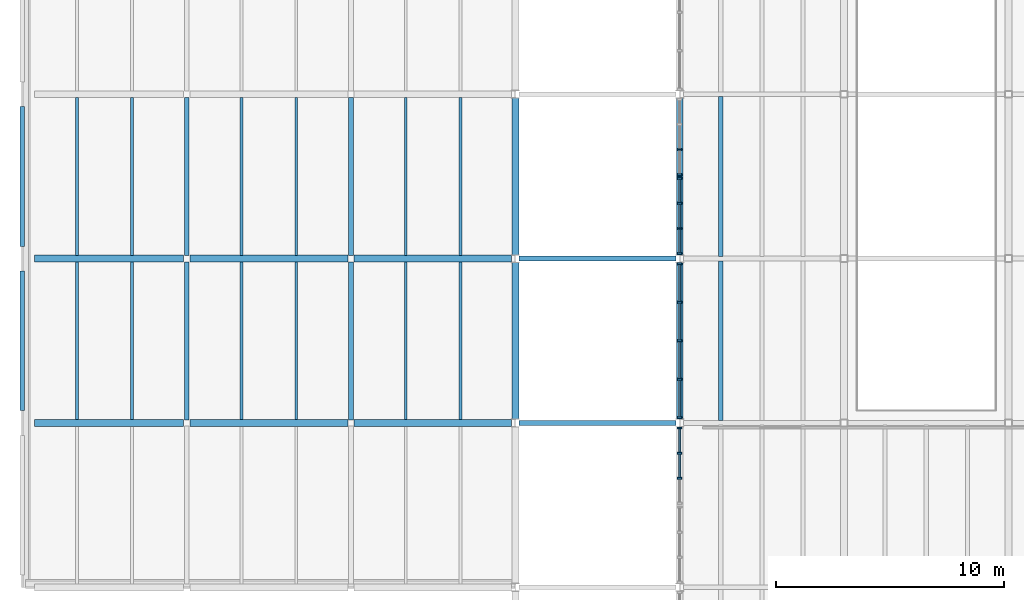
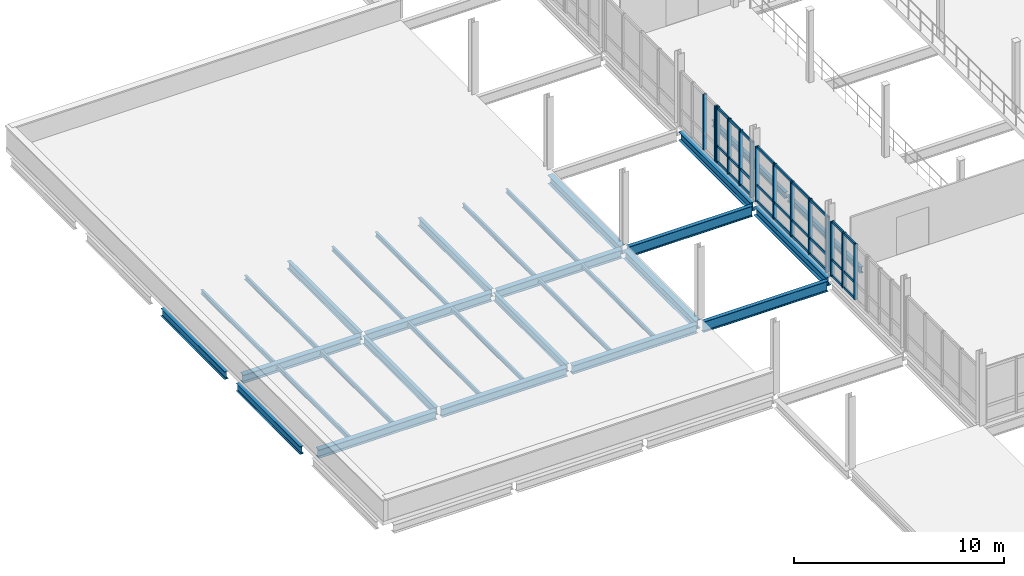
# One storey, part 19 of 72: 41 members, 32 beams, 4 elements without a shape of their own.
"""IFC4 building model written with IfcOpenShell, lengths in metres."""

from ifc_helpers import new_model, si_unit, direction, frame, origin, origin_2d, place, context, subcontext, project, spatial, rectangle, i_section, extrude, material, material_profile, profile_set, type_object, element, aggregate, save


model = new_model("IFC4")

# Units and contexts
model_context = context("Model", 3, precision=1e-05, world=origin(), true_north=direction((0.0, 1.0)))
body_context = subcontext(model_context, "Body", "Model", "MODEL_VIEW")
ifc_project = project(units=[si_unit("LENGTHUNIT", "METRE"), si_unit("AREAUNIT", "SQUARE_METRE"), si_unit("VOLUMEUNIT", "CUBIC_METRE"), si_unit("PLANEANGLEUNIT", "RADIAN"), si_unit("MASSUNIT", "GRAM", prefix="KILO")], contexts=[model_context])

# Site, building, storey
site_placement = place(None, origin())
site = spatial("IfcSite", under=ifc_project, at=site_placement, CompositionType="ELEMENT")
building_placement = place(site_placement, origin())
building = spatial("IfcBuilding", under=site, at=building_placement, Name="Qiaolan Assembly House", CompositionType="ELEMENT")
storey_placement = place(building_placement, frame((0.0, 0.0, 10.199951171875)))
storey = spatial("IfcBuildingStorey", under=building, at=storey_placement, Name="L02", CompositionType="ELEMENT", Elevation=10.199951171875)

# Beams
ifc_material_1 = material(Name="Steel Q355B", Category="steel")
ifc_material_profile_1 = material_profile(ifc_material_1, i_section(OverallWidth=0.300048828125, OverallDepth=0.488037109375, WebThickness=0.010986328125, FlangeThickness=0.01806640625, FilletRadius=0.02001953125, at=origin_2d()), Name="HM 488x300x11x18")
ifc_profile_set_1 = profile_set([ifc_material_profile_1], Name="Steel Q355B")
beam_type_1 = type_object("IfcBeamType", Name="BM-STL-HM488", PredefinedType="BEAM", material=ifc_profile_set_1)
beam_1_placement = place(storey_placement, frame((0.5400390625, 50.39990234375, -0.5439453125), z_axis=(1.0, 0.0, 0.0), x_axis=(0.0, 1.0, 0.0)))
element("IfcBeam", 1, at=beam_1_placement, inside=storey, type_object=beam_type_1, Name="SB-04 beam BMX-PTR-L02-00-01", PredefinedType="BEAM", context=body_context, shape_type="SweptSolid", body=[
    extrude(i_section(OverallWidth=0.300048828125, OverallDepth=0.488037109375, WebThickness=0.010986328125, FlangeThickness=0.01806640625, FilletRadius=0.02001953125, at=origin_2d()), origin(), (0.0, 0.0, 1.0), 6.52001953125),
])
beam_2_placement = place(storey_placement, frame((7.340087890625, 50.39990234375, -0.5439453125), z_axis=(1.0, 0.0, 0.0), x_axis=(0.0, 1.0, 0.0)))
element("IfcBeam", 2, at=beam_2_placement, inside=storey, type_object=beam_type_1, Name="SB-04 beam BMX-PTR-L02-01-01", PredefinedType="BEAM", context=body_context, shape_type="SweptSolid", body=[
    extrude(i_section(OverallWidth=0.300048828125, OverallDepth=0.488037109375, WebThickness=0.010986328125, FlangeThickness=0.01806640625, FilletRadius=0.02001953125, at=origin_2d()), origin(), (0.0, 0.0, 1.0), 6.919921875),
])
beam_3_placement = place(storey_placement, frame((14.5400390625, 50.39990234375, -0.5439453125), z_axis=(1.0, 0.0, 0.0), x_axis=(0.0, 1.0, 0.0)))
element("IfcBeam", 3, at=beam_3_placement, inside=storey, type_object=beam_type_1, Name="SB-04 beam BMX-PTR-L02-02-01", PredefinedType="BEAM", context=body_context, shape_type="SweptSolid", body=[
    extrude(i_section(OverallWidth=0.300048828125, OverallDepth=0.488037109375, WebThickness=0.010986328125, FlangeThickness=0.01806640625, FilletRadius=0.02001953125, at=origin_2d()), origin(), (0.0, 0.0, 1.0), 6.89501953125),
])
beam_4_placement = place(storey_placement, frame((0.5400390625, 57.60009765625, -0.5439453125), z_axis=(1.0, 0.0, 0.0), x_axis=(0.0, 1.0, 0.0)))
element("IfcBeam", 4, at=beam_4_placement, inside=storey, type_object=beam_type_1, Name="SB-04 beam BMX-PTR-L02-00-02", PredefinedType="BEAM", context=body_context, shape_type="SweptSolid", body=[
    extrude(i_section(OverallWidth=0.300048828125, OverallDepth=0.488037109375, WebThickness=0.010986328125, FlangeThickness=0.01806640625, FilletRadius=0.02001953125, at=origin_2d()), origin(), (0.0, 0.0, 1.0), 6.52001953125),
])
beam_5_placement = place(storey_placement, frame((7.340087890625, 57.60009765625, -0.5439453125), z_axis=(1.0, 0.0, 0.0), x_axis=(0.0, 1.0, 0.0)))
element("IfcBeam", 5, at=beam_5_placement, inside=storey, type_object=beam_type_1, Name="SB-04 beam BMX-PTR-L02-01-02", PredefinedType="BEAM", context=body_context, shape_type="SweptSolid", body=[
    extrude(i_section(OverallWidth=0.300048828125, OverallDepth=0.488037109375, WebThickness=0.010986328125, FlangeThickness=0.01806640625, FilletRadius=0.02001953125, at=origin_2d()), origin(), (0.0, 0.0, 1.0), 6.919921875),
])
beam_6_placement = place(storey_placement, frame((14.5400390625, 57.60009765625, -0.5439453125), z_axis=(1.0, 0.0, 0.0), x_axis=(0.0, 1.0, 0.0)))
element("IfcBeam", 6, at=beam_6_placement, inside=storey, type_object=beam_type_1, Name="SB-04 beam BMX-PTR-L02-02-02", PredefinedType="BEAM", context=body_context, shape_type="SweptSolid", body=[
    extrude(i_section(OverallWidth=0.300048828125, OverallDepth=0.488037109375, WebThickness=0.010986328125, FlangeThickness=0.01806640625, FilletRadius=0.02001953125, at=origin_2d()), origin(), (0.0, 0.0, 1.0), 6.89501953125),
])
ifc_material_profile_2 = material_profile(ifc_material_1, i_section(OverallWidth=0.300048828125, OverallDepth=0.5, WebThickness=0.010986328125, FlangeThickness=0.01806640625, FilletRadius=0.02001953125, at=origin_2d()), Name="HM 500x300x11x18")
ifc_profile_set_2 = profile_set([ifc_material_profile_2], Name="Steel Q355B")
beam_type_2 = type_object("IfcBeamType", Name="BM-STL-HM500", PredefinedType="BEAM", material=ifc_profile_set_2)
for number, where, z_axis, x_axis, name in (
    (7, (21.60009765625, 50.56494140625, -0.550048828125), (0.0, 1.0, 0.0), (-1.0, 0.0, 0.0), "SB-15 beam BMY-HL-L02-00-02"),
    (8, (21.60009765625, 57.764892578125, -0.550048828125), (0.0, 1.0, 0.0), (-1.0, 0.0, 0.0), "SB-15 beam BMY-HL-L02-00-03"),
    (9, (28.800048828125, 50.56494140625, -0.550048828125), (0.0, 1.0, 0.0), (-1.0, 0.0, 0.0), "SB-15 beam BMY-HL-L02-01-02"),
    (10, (28.800048828125, 57.764892578125, -0.550048828125), (0.0, 1.0, 0.0), (-1.0, 0.0, 0.0), "SB-15 beam BMY-HL-L02-01-03"),
):
    element("IfcBeam", number, at=place(storey_placement, frame(where, z_axis=z_axis, x_axis=x_axis)), inside=storey, type_object=beam_type_2, Name=name, PredefinedType="BEAM", context=body_context, shape_type="SweptSolid", body=[
        extrude(i_section(OverallWidth=0.300048828125, OverallDepth=0.5, WebThickness=0.010986328125, FlangeThickness=0.01806640625, FilletRadius=0.02001953125, at=origin_2d()), origin(), (0.0, 0.0, 1.0), 6.8701171875),
    ])
ifc_material_profile_3 = material_profile(ifc_material_1, i_section(OverallWidth=0.199951171875, OverallDepth=0.449951171875, WebThickness=0.009033203125, FlangeThickness=0.013916015625, FilletRadius=0.01611328125, at=origin_2d()), Name="HN 450x200x9x14")
ifc_profile_set_3 = profile_set([ifc_material_profile_3], Name="Steel Q355B")
beam_type_3 = type_object("IfcBeamType", Name="BM-STL-HN450", PredefinedType="BEAM", material=ifc_profile_set_3)
for number, where, z_axis, x_axis, name in (
    (11, (0.0, 50.93994140625, -0.52490234375), (0.0, 1.0, 0.0), (-1.0, 0.0, 0.0), "SB-07 beam BMY-PTR-L02-00-01"),
    (12, (0.0, 58.139892578125, -0.52490234375), (0.0, 1.0, 0.0), (-1.0, 0.0, 0.0), "SB-07 beam BMY-PTR-L02-00-02"),
):
    element("IfcBeam", number, at=place(storey_placement, frame(where, z_axis=z_axis, x_axis=x_axis)), inside=storey, type_object=beam_type_3, Name=name, PredefinedType="BEAM", context=body_context, shape_type="SweptSolid", body=[
        extrude(i_section(OverallWidth=0.199951171875, OverallDepth=0.449951171875, WebThickness=0.009033203125, FlangeThickness=0.013916015625, FilletRadius=0.01611328125, at=origin_2d()), origin(), (0.0, 0.0, 1.0), 6.1201171875),
    ])
for number, where, z_axis, x_axis, name in (
    (13, (7.199951171875, 50.5400390625, -0.52490234375), (0.0, 1.0, 0.0), (-1.0, 0.0, 0.0), "SB-07 beam BMY-PTR-L02-01-01"),
    (14, (7.199951171875, 57.739990234375, -0.52490234375), (0.0, 1.0, 0.0), (-1.0, 0.0, 0.0), "SB-07 beam BMY-PTR-L02-01-02"),
    (15, (14.39990234375, 50.5400390625, -0.52490234375), (0.0, 1.0, 0.0), (-1.0, 0.0, 0.0), "SB-07 beam BMY-PTR-L02-02-01"),
    (16, (14.39990234375, 57.739990234375, -0.52490234375), (0.0, 1.0, 0.0), (-1.0, 0.0, 0.0), "SB-07 beam BMY-PTR-L02-02-02"),
):
    element("IfcBeam", number, at=place(storey_placement, frame(where, z_axis=z_axis, x_axis=x_axis)), inside=storey, type_object=beam_type_3, Name=name, PredefinedType="BEAM", context=body_context, shape_type="SweptSolid", body=[
        extrude(i_section(OverallWidth=0.199951171875, OverallDepth=0.449951171875, WebThickness=0.009033203125, FlangeThickness=0.013916015625, FilletRadius=0.01611328125, at=origin_2d()), origin(), (0.0, 0.0, 1.0), 6.919921875),
    ])
ifc_material_profile_4 = material_profile(ifc_material_1, i_section(OverallWidth=0.2099609375, OverallDepth=0.610107421875, WebThickness=0.010986328125, FlangeThickness=0.01806640625, FilletRadius=0.02001953125, at=origin_2d()), Name="HN 610x210x11x18")
ifc_profile_set_4 = profile_set([ifc_material_profile_4], Name="Steel Q355B")
beam_type_4 = type_object("IfcBeamType", Name="BM-STL-HN610", PredefinedType="BEAM", material=ifc_profile_set_4)
for number, where, z_axis, x_axis, name in (
    (17, (21.764892578125, 50.39990234375, -0.60498046875), (1.0, 0.0, 0.0), (0.0, 1.0, 0.0), "SB-11 beam BMX-HL-L02-00-02"),
    (18, (21.764892578125, 57.60009765625, -0.60498046875), (1.0, 0.0, 0.0), (0.0, 1.0, 0.0), "SB-11 beam BMX-HL-L02-00-03"),
):
    element("IfcBeam", number, at=place(storey_placement, frame(where, z_axis=z_axis, x_axis=x_axis)), inside=storey, type_object=beam_type_4, Name=name, PredefinedType="BEAM", context=body_context, shape_type="SweptSolid", body=[
        extrude(i_section(OverallWidth=0.2099609375, OverallDepth=0.610107421875, WebThickness=0.010986328125, FlangeThickness=0.01806640625, FilletRadius=0.02001953125, at=origin_2d()), origin(), (0.0, 0.0, 1.0), 6.8701171875),
    ])

# Curtain wall, members
ifc_material_2 = material(Name="Anodised bronze aluminium", Category="aluminium")
curtain_wall_type = type_object("IfcCurtainWallType", Name="CW-HALL-UPPER-480", PredefinedType="NOTDEFINED", material=ifc_material_2)
curtain_wall_1_placement = place(storey_placement, origin())
curtain_wall_1 = element("IfcCurtainWall", 19, at=curtain_wall_1_placement, inside=storey, type_object=curtain_wall_type, Name="CW-01 Hall West facade L02-1B", PredefinedType="NOTDEFINED")
ifc_material_profile_5 = material_profile(ifc_material_2, rectangle(XDim=0.0859375, YDim=0.199951171875, at=origin_2d()), Name="MUL 86x200")
ifc_profile_set_5 = profile_set([ifc_material_profile_5], Name="Anodised bronze aluminium")
member_type_1 = type_object("IfcMemberType", Name="CW-HALL-UPPER-480-MUL", PredefinedType="MULLION", material=ifc_profile_set_5)
member_1_placement = place(storey_placement, frame((28.800048828125, 47.97998046875, 0.0), z_axis=(0.0, 0.0, 1.0), x_axis=(0.0, 1.0, 0.0)))
member_1 = element("IfcMember", 20, at=member_1_placement, type_object=member_type_1, Name="ML-02 mullion CW-HALL-W-L02-1B-2", PredefinedType="MULLION", context=body_context, shape_type="SweptSolid", body=[
    extrude(rectangle(XDim=0.0859375, YDim=0.199951171875, at=origin_2d()), origin(), (0.0, 0.0, 1.0), 3.199951171875),
])
member_2_placement = place(storey_placement, frame((28.800048828125, 49.080078125, 0.0), z_axis=(0.0, 0.0, 1.0), x_axis=(0.0, 1.0, 0.0)))
member_2 = element("IfcMember", 21, at=member_2_placement, type_object=member_type_1, Name="ML-02 mullion CW-HALL-W-L02-1B-3", PredefinedType="MULLION", context=body_context, shape_type="SweptSolid", body=[
    extrude(rectangle(XDim=0.0859375, YDim=0.199951171875, at=origin_2d()), origin(), (0.0, 0.0, 1.0), 3.199951171875),
])
member_3_placement = place(storey_placement, frame((28.800048828125, 50.179931640625, 0.0), z_axis=(0.0, 0.0, 1.0), x_axis=(0.0, 1.0, 0.0)))
member_3 = element("IfcMember", 22, at=member_3_placement, type_object=member_type_1, Name="ML-02 mullion CW-HALL-W-L02-1B-4", PredefinedType="MULLION", context=body_context, shape_type="SweptSolid", body=[
    extrude(rectangle(XDim=0.0859375, YDim=0.199951171875, at=origin_2d()), origin(), (0.0, 0.0, 1.0), 3.199951171875),
])

curtain_wall_2_placement = place(storey_placement, origin())
curtain_wall_2 = element("IfcCurtainWall", 23, at=curtain_wall_2_placement, inside=storey, type_object=curtain_wall_type, Name="CW-01 Hall West facade L02-2", PredefinedType="NOTDEFINED")
member_4_placement = place(storey_placement, frame((28.800048828125, 50.6201171875, 0.0), z_axis=(0.0, 0.0, 1.0), x_axis=(0.0, 1.0, 0.0)))
member_4 = element("IfcMember", 24, at=member_4_placement, type_object=member_type_1, Name="ML-02 mullion CW-HALL-W-L02-2-1", PredefinedType="MULLION", context=body_context, shape_type="SweptSolid", body=[
    extrude(rectangle(XDim=0.0859375, YDim=0.199951171875, at=origin_2d()), origin(), (0.0, 0.0, 1.0), 3.199951171875),
])
member_5_placement = place(storey_placement, frame((28.800048828125, 52.31005859375, 0.0), z_axis=(0.0, 0.0, 1.0), x_axis=(0.0, 1.0, 0.0)))
member_5 = element("IfcMember", 25, at=member_5_placement, type_object=member_type_1, Name="ML-02 mullion CW-HALL-W-L02-2-2", PredefinedType="MULLION", context=body_context, shape_type="SweptSolid", body=[
    extrude(rectangle(XDim=0.0859375, YDim=0.199951171875, at=origin_2d()), origin(), (0.0, 0.0, 1.0), 3.199951171875),
])
member_6_placement = place(storey_placement, frame((28.800048828125, 54.0, 0.0), z_axis=(0.0, 0.0, 1.0), x_axis=(0.0, 1.0, 0.0)))
member_6 = element("IfcMember", 26, at=member_6_placement, type_object=member_type_1, Name="ML-02 mullion CW-HALL-W-L02-2-3", PredefinedType="MULLION", context=body_context, shape_type="SweptSolid", body=[
    extrude(rectangle(XDim=0.0859375, YDim=0.199951171875, at=origin_2d()), origin(), (0.0, 0.0, 1.0), 3.199951171875),
])
member_7_placement = place(storey_placement, frame((28.800048828125, 55.68994140625, 0.0), z_axis=(0.0, 0.0, 1.0), x_axis=(0.0, 1.0, 0.0)))
member_7 = element("IfcMember", 27, at=member_7_placement, type_object=member_type_1, Name="ML-02 mullion CW-HALL-W-L02-2-4", PredefinedType="MULLION", context=body_context, shape_type="SweptSolid", body=[
    extrude(rectangle(XDim=0.0859375, YDim=0.199951171875, at=origin_2d()), origin(), (0.0, 0.0, 1.0), 3.199951171875),
])
member_8_placement = place(storey_placement, frame((28.800048828125, 57.3798828125, 0.0), z_axis=(0.0, 0.0, 1.0), x_axis=(0.0, 1.0, 0.0)))
member_8 = element("IfcMember", 28, at=member_8_placement, type_object=member_type_1, Name="ML-02 mullion CW-HALL-W-L02-2-5", PredefinedType="MULLION", context=body_context, shape_type="SweptSolid", body=[
    extrude(rectangle(XDim=0.0859375, YDim=0.199951171875, at=origin_2d()), origin(), (0.0, 0.0, 1.0), 3.199951171875),
])

curtain_wall_3_placement = place(storey_placement, origin())
curtain_wall_3 = element("IfcCurtainWall", 29, at=curtain_wall_3_placement, inside=storey, type_object=curtain_wall_type, Name="CW-01 Hall West facade L02-3A", PredefinedType="NOTDEFINED")
member_9_placement = place(storey_placement, frame((28.800048828125, 57.820068359375, 0.0), z_axis=(0.0, 0.0, 1.0), x_axis=(0.0, 1.0, 0.0)))
member_9 = element("IfcMember", 30, at=member_9_placement, type_object=member_type_1, Name="ML-02 mullion CW-HALL-W-L02-3A-1", PredefinedType="MULLION", context=body_context, shape_type="SweptSolid", body=[
    extrude(rectangle(XDim=0.0859375, YDim=0.199951171875, at=origin_2d()), origin(), (0.0, 0.0, 1.0), 3.199951171875),
])
member_10_placement = place(storey_placement, frame((28.800048828125, 58.919921875, 0.0), z_axis=(0.0, 0.0, 1.0), x_axis=(0.0, 1.0, 0.0)))
member_10 = element("IfcMember", 31, at=member_10_placement, type_object=member_type_1, Name="ML-02 mullion CW-HALL-W-L02-3A-2", PredefinedType="MULLION", context=body_context, shape_type="SweptSolid", body=[
    extrude(rectangle(XDim=0.0859375, YDim=0.199951171875, at=origin_2d()), origin(), (0.0, 0.0, 1.0), 3.199951171875),
])
member_11_placement = place(storey_placement, frame((28.800048828125, 60.02001953125, 0.0), z_axis=(0.0, 0.0, 1.0), x_axis=(0.0, 1.0, 0.0)))
member_11 = element("IfcMember", 32, at=member_11_placement, type_object=member_type_1, Name="ML-02 mullion CW-HALL-W-L02-3A-3", PredefinedType="MULLION", context=body_context, shape_type="SweptSolid", body=[
    extrude(rectangle(XDim=0.0859375, YDim=0.199951171875, at=origin_2d()), origin(), (0.0, 0.0, 1.0), 3.199951171875),
])
member_12_placement = place(storey_placement, frame((28.800048828125, 61.1201171875, 0.0), z_axis=(0.0, 0.0, 1.0), x_axis=(0.0, 1.0, 0.0)))
member_12 = element("IfcMember", 33, at=member_12_placement, type_object=member_type_1, Name="ML-02 mullion CW-HALL-W-L02-3A-4", PredefinedType="MULLION", context=body_context, shape_type="SweptSolid", body=[
    extrude(rectangle(XDim=0.0859375, YDim=0.199951171875, at=origin_2d()), origin(), (0.0, 0.0, 1.0), 3.199951171875),
])

curtain_wall_4_placement = place(storey_placement, origin())
curtain_wall_4 = element("IfcCurtainWall", 34, at=curtain_wall_4_placement, inside=storey, type_object=curtain_wall_type, Name="CW-01 Hall West facade L02-3B", PredefinedType="NOTDEFINED")
member_13_placement = place(storey_placement, frame((28.800048828125, 61.280029296875, 0.0), z_axis=(0.0, 0.0, 1.0), x_axis=(0.0, 1.0, 0.0)))
member_13 = element("IfcMember", 35, at=member_13_placement, type_object=member_type_1, Name="ML-02 mullion CW-HALL-W-L02-3B-1", PredefinedType="MULLION", context=body_context, shape_type="SweptSolid", body=[
    extrude(rectangle(XDim=0.0859375, YDim=0.199951171875, at=origin_2d()), origin(), (0.0, 0.0, 1.0), 3.199951171875),
])
member_14_placement = place(storey_placement, frame((28.800048828125, 62.3798828125, 0.0), z_axis=(0.0, 0.0, 1.0), x_axis=(0.0, 1.0, 0.0)))
member_14 = element("IfcMember", 36, at=member_14_placement, type_object=member_type_1, Name="ML-02 mullion CW-HALL-W-L02-3B-2", PredefinedType="MULLION", context=body_context, shape_type="SweptSolid", body=[
    extrude(rectangle(XDim=0.0859375, YDim=0.199951171875, at=origin_2d()), origin(), (0.0, 0.0, 1.0), 3.199951171875),
])
aggregate(curtain_wall_4, [member_13, member_14])

# Member
ifc_material_profile_6 = material_profile(ifc_material_2, rectangle(XDim=0.075927734375, YDim=0.14990234375, at=origin_2d()), Name="TRN 76x150")
ifc_profile_set_6 = profile_set([ifc_material_profile_6], Name="Anodised bronze aluminium")
member_type_2 = type_object("IfcMemberType", Name="CW-HALL-UPPER-480-TRN", PredefinedType="USERDEFINED", material=ifc_profile_set_6)
member_15_placement = place(storey_placement, frame((28.800048828125, 48.02294921875, 0.030029296875), z_axis=(0.0, 1.0, 0.0), x_axis=(-1.0, 0.0, 0.0)))
member_15 = element("IfcMember", 37, at=member_15_placement, type_object=member_type_2, Name="TR-02 transom CW-HALL-W-L02-1B-2-1", ObjectType="TRANSOM", PredefinedType="USERDEFINED", context=body_context, shape_type="SweptSolid", body=[
    extrude(rectangle(XDim=0.075927734375, YDim=0.14990234375, at=origin_2d()), origin(), (0.0, 0.0, 1.0), 1.01416015625),
])

member_16_placement = place(storey_placement, frame((28.800048828125, 48.02294921875, 0.949951171875), z_axis=(0.0, 1.0, 0.0), x_axis=(-1.0, 0.0, 0.0)))
member_16 = element("IfcMember", 38, at=member_16_placement, type_object=member_type_2, Name="TR-02 transom CW-HALL-W-L02-1B-2-2", ObjectType="TRANSOM", PredefinedType="USERDEFINED", context=body_context, shape_type="SweptSolid", body=[
    extrude(rectangle(XDim=0.075927734375, YDim=0.14990234375, at=origin_2d()), origin(), (0.0, 0.0, 1.0), 1.01416015625),
])

member_17_placement = place(storey_placement, frame((28.800048828125, 48.02294921875, 3.170166015625), z_axis=(0.0, 1.0, 0.0), x_axis=(-1.0, 0.0, 0.0)))
member_17 = element("IfcMember", 39, at=member_17_placement, type_object=member_type_2, Name="TR-02 transom CW-HALL-W-L02-1B-2-3", ObjectType="TRANSOM", PredefinedType="USERDEFINED", context=body_context, shape_type="SweptSolid", body=[
    extrude(rectangle(XDim=0.075927734375, YDim=0.14990234375, at=origin_2d()), origin(), (0.0, 0.0, 1.0), 1.01416015625),
])

member_18_placement = place(storey_placement, frame((28.800048828125, 49.123046875, 0.030029296875), z_axis=(0.0, 1.0, 0.0), x_axis=(-1.0, 0.0, 0.0)))
member_18 = element("IfcMember", 40, at=member_18_placement, type_object=member_type_2, Name="TR-02 transom CW-HALL-W-L02-1B-3-1", ObjectType="TRANSOM", PredefinedType="USERDEFINED", context=body_context, shape_type="SweptSolid", body=[
    extrude(rectangle(XDim=0.075927734375, YDim=0.14990234375, at=origin_2d()), origin(), (0.0, 0.0, 1.0), 1.013916015625),
])

member_19_placement = place(storey_placement, frame((28.800048828125, 49.123046875, 0.949951171875), z_axis=(0.0, 1.0, 0.0), x_axis=(-1.0, 0.0, 0.0)))
member_19 = element("IfcMember", 41, at=member_19_placement, type_object=member_type_2, Name="TR-02 transom CW-HALL-W-L02-1B-3-2", ObjectType="TRANSOM", PredefinedType="USERDEFINED", context=body_context, shape_type="SweptSolid", body=[
    extrude(rectangle(XDim=0.075927734375, YDim=0.14990234375, at=origin_2d()), origin(), (0.0, 0.0, 1.0), 1.013916015625),
])

member_20_placement = place(storey_placement, frame((28.800048828125, 49.123046875, 3.170166015625), z_axis=(0.0, 1.0, 0.0), x_axis=(-1.0, 0.0, 0.0)))
member_20 = element("IfcMember", 42, at=member_20_placement, type_object=member_type_2, Name="TR-02 transom CW-HALL-W-L02-1B-3-3", ObjectType="TRANSOM", PredefinedType="USERDEFINED", context=body_context, shape_type="SweptSolid", body=[
    extrude(rectangle(XDim=0.075927734375, YDim=0.14990234375, at=origin_2d()), origin(), (0.0, 0.0, 1.0), 1.013916015625),
])

aggregate(curtain_wall_1, [member_1, member_2, member_3, member_15, member_16, member_17, member_18, member_19, member_20])

member_21_placement = place(storey_placement, frame((28.800048828125, 50.6630859375, 0.030029296875), z_axis=(0.0, 1.0, 0.0), x_axis=(-1.0, 0.0, 0.0)))
member_21 = element("IfcMember", 43, at=member_21_placement, type_object=member_type_2, Name="TR-02 transom CW-HALL-W-L02-2-1-1", ObjectType="TRANSOM", PredefinedType="USERDEFINED", context=body_context, shape_type="SweptSolid", body=[
    extrude(rectangle(XDim=0.075927734375, YDim=0.14990234375, at=origin_2d()), origin(), (0.0, 0.0, 1.0), 1.60400390625),
])

member_22_placement = place(storey_placement, frame((28.800048828125, 50.6630859375, 0.949951171875), z_axis=(0.0, 1.0, 0.0), x_axis=(-1.0, 0.0, 0.0)))
member_22 = element("IfcMember", 44, at=member_22_placement, type_object=member_type_2, Name="TR-02 transom CW-HALL-W-L02-2-1-2", ObjectType="TRANSOM", PredefinedType="USERDEFINED", context=body_context, shape_type="SweptSolid", body=[
    extrude(rectangle(XDim=0.075927734375, YDim=0.14990234375, at=origin_2d()), origin(), (0.0, 0.0, 1.0), 1.60400390625),
])

member_23_placement = place(storey_placement, frame((28.800048828125, 50.6630859375, 3.170166015625), z_axis=(0.0, 1.0, 0.0), x_axis=(-1.0, 0.0, 0.0)))
member_23 = element("IfcMember", 45, at=member_23_placement, type_object=member_type_2, Name="TR-02 transom CW-HALL-W-L02-2-1-3", ObjectType="TRANSOM", PredefinedType="USERDEFINED", context=body_context, shape_type="SweptSolid", body=[
    extrude(rectangle(XDim=0.075927734375, YDim=0.14990234375, at=origin_2d()), origin(), (0.0, 0.0, 1.0), 1.60400390625),
])

member_24_placement = place(storey_placement, frame((28.800048828125, 52.35302734375, 0.030029296875), z_axis=(0.0, 1.0, 0.0), x_axis=(-1.0, 0.0, 0.0)))
member_24 = element("IfcMember", 46, at=member_24_placement, type_object=member_type_2, Name="TR-02 transom CW-HALL-W-L02-2-2-1", ObjectType="TRANSOM", PredefinedType="USERDEFINED", context=body_context, shape_type="SweptSolid", body=[
    extrude(rectangle(XDim=0.075927734375, YDim=0.14990234375, at=origin_2d()), origin(), (0.0, 0.0, 1.0), 1.60400390625),
])

member_25_placement = place(storey_placement, frame((28.800048828125, 52.35302734375, 0.949951171875), z_axis=(0.0, 1.0, 0.0), x_axis=(-1.0, 0.0, 0.0)))
member_25 = element("IfcMember", 47, at=member_25_placement, type_object=member_type_2, Name="TR-02 transom CW-HALL-W-L02-2-2-2", ObjectType="TRANSOM", PredefinedType="USERDEFINED", context=body_context, shape_type="SweptSolid", body=[
    extrude(rectangle(XDim=0.075927734375, YDim=0.14990234375, at=origin_2d()), origin(), (0.0, 0.0, 1.0), 1.60400390625),
])

member_26_placement = place(storey_placement, frame((28.800048828125, 52.35302734375, 3.170166015625), z_axis=(0.0, 1.0, 0.0), x_axis=(-1.0, 0.0, 0.0)))
member_26 = element("IfcMember", 48, at=member_26_placement, type_object=member_type_2, Name="TR-02 transom CW-HALL-W-L02-2-2-3", ObjectType="TRANSOM", PredefinedType="USERDEFINED", context=body_context, shape_type="SweptSolid", body=[
    extrude(rectangle(XDim=0.075927734375, YDim=0.14990234375, at=origin_2d()), origin(), (0.0, 0.0, 1.0), 1.60400390625),
])

member_27_placement = place(storey_placement, frame((28.800048828125, 54.04296875, 0.030029296875), z_axis=(0.0, 1.0, 0.0), x_axis=(-1.0, 0.0, 0.0)))
member_27 = element("IfcMember", 49, at=member_27_placement, type_object=member_type_2, Name="TR-02 transom CW-HALL-W-L02-2-3-1", ObjectType="TRANSOM", PredefinedType="USERDEFINED", context=body_context, shape_type="SweptSolid", body=[
    extrude(rectangle(XDim=0.075927734375, YDim=0.14990234375, at=origin_2d()), origin(), (0.0, 0.0, 1.0), 1.60400390625),
])

member_28_placement = place(storey_placement, frame((28.800048828125, 54.04296875, 0.949951171875), z_axis=(0.0, 1.0, 0.0), x_axis=(-1.0, 0.0, 0.0)))
member_28 = element("IfcMember", 50, at=member_28_placement, type_object=member_type_2, Name="TR-02 transom CW-HALL-W-L02-2-3-2", ObjectType="TRANSOM", PredefinedType="USERDEFINED", context=body_context, shape_type="SweptSolid", body=[
    extrude(rectangle(XDim=0.075927734375, YDim=0.14990234375, at=origin_2d()), origin(), (0.0, 0.0, 1.0), 1.60400390625),
])

member_29_placement = place(storey_placement, frame((28.800048828125, 54.04296875, 3.170166015625), z_axis=(0.0, 1.0, 0.0), x_axis=(-1.0, 0.0, 0.0)))
member_29 = element("IfcMember", 51, at=member_29_placement, type_object=member_type_2, Name="TR-02 transom CW-HALL-W-L02-2-3-3", ObjectType="TRANSOM", PredefinedType="USERDEFINED", context=body_context, shape_type="SweptSolid", body=[
    extrude(rectangle(XDim=0.075927734375, YDim=0.14990234375, at=origin_2d()), origin(), (0.0, 0.0, 1.0), 1.60400390625),
])

member_30_placement = place(storey_placement, frame((28.800048828125, 55.73291015625, 0.030029296875), z_axis=(0.0, 1.0, 0.0), x_axis=(-1.0, 0.0, 0.0)))
member_30 = element("IfcMember", 52, at=member_30_placement, type_object=member_type_2, Name="TR-02 transom CW-HALL-W-L02-2-4-1", ObjectType="TRANSOM", PredefinedType="USERDEFINED", context=body_context, shape_type="SweptSolid", body=[
    extrude(rectangle(XDim=0.075927734375, YDim=0.14990234375, at=origin_2d()), origin(), (0.0, 0.0, 1.0), 1.60400390625),
])

member_31_placement = place(storey_placement, frame((28.800048828125, 55.73291015625, 0.949951171875), z_axis=(0.0, 1.0, 0.0), x_axis=(-1.0, 0.0, 0.0)))
member_31 = element("IfcMember", 53, at=member_31_placement, type_object=member_type_2, Name="TR-02 transom CW-HALL-W-L02-2-4-2", ObjectType="TRANSOM", PredefinedType="USERDEFINED", context=body_context, shape_type="SweptSolid", body=[
    extrude(rectangle(XDim=0.075927734375, YDim=0.14990234375, at=origin_2d()), origin(), (0.0, 0.0, 1.0), 1.60400390625),
])

member_32_placement = place(storey_placement, frame((28.800048828125, 55.73291015625, 3.170166015625), z_axis=(0.0, 1.0, 0.0), x_axis=(-1.0, 0.0, 0.0)))
member_32 = element("IfcMember", 54, at=member_32_placement, type_object=member_type_2, Name="TR-02 transom CW-HALL-W-L02-2-4-3", ObjectType="TRANSOM", PredefinedType="USERDEFINED", context=body_context, shape_type="SweptSolid", body=[
    extrude(rectangle(XDim=0.075927734375, YDim=0.14990234375, at=origin_2d()), origin(), (0.0, 0.0, 1.0), 1.60400390625),
])

aggregate(curtain_wall_2, [member_4, member_5, member_6, member_7, member_8, member_21, member_22, member_23, member_24, member_25, member_26, member_27, member_28, member_29, member_30, member_31, member_32])

member_33_placement = place(storey_placement, frame((28.800048828125, 57.863037109375, 0.030029296875), z_axis=(0.0, 1.0, 0.0), x_axis=(-1.0, 0.0, 0.0)))
member_33 = element("IfcMember", 55, at=member_33_placement, type_object=member_type_2, Name="TR-02 transom CW-HALL-W-L02-3A-1-1", ObjectType="TRANSOM", PredefinedType="USERDEFINED", context=body_context, shape_type="SweptSolid", body=[
    extrude(rectangle(XDim=0.075927734375, YDim=0.14990234375, at=origin_2d()), origin(), (0.0, 0.0, 1.0), 1.013916015625),
])

member_34_placement = place(storey_placement, frame((28.800048828125, 57.863037109375, 0.949951171875), z_axis=(0.0, 1.0, 0.0), x_axis=(-1.0, 0.0, 0.0)))
member_34 = element("IfcMember", 56, at=member_34_placement, type_object=member_type_2, Name="TR-02 transom CW-HALL-W-L02-3A-1-2", ObjectType="TRANSOM", PredefinedType="USERDEFINED", context=body_context, shape_type="SweptSolid", body=[
    extrude(rectangle(XDim=0.075927734375, YDim=0.14990234375, at=origin_2d()), origin(), (0.0, 0.0, 1.0), 1.013916015625),
])

member_35_placement = place(storey_placement, frame((28.800048828125, 57.863037109375, 3.170166015625), z_axis=(0.0, 1.0, 0.0), x_axis=(-1.0, 0.0, 0.0)))
member_35 = element("IfcMember", 57, at=member_35_placement, type_object=member_type_2, Name="TR-02 transom CW-HALL-W-L02-3A-1-3", ObjectType="TRANSOM", PredefinedType="USERDEFINED", context=body_context, shape_type="SweptSolid", body=[
    extrude(rectangle(XDim=0.075927734375, YDim=0.14990234375, at=origin_2d()), origin(), (0.0, 0.0, 1.0), 1.013916015625),
])

member_36_placement = place(storey_placement, frame((28.800048828125, 58.962890625, 0.030029296875), z_axis=(0.0, 1.0, 0.0), x_axis=(-1.0, 0.0, 0.0)))
member_36 = element("IfcMember", 58, at=member_36_placement, type_object=member_type_2, Name="TR-02 transom CW-HALL-W-L02-3A-2-1", ObjectType="TRANSOM", PredefinedType="USERDEFINED", context=body_context, shape_type="SweptSolid", body=[
    extrude(rectangle(XDim=0.075927734375, YDim=0.14990234375, at=origin_2d()), origin(), (0.0, 0.0, 1.0), 1.01416015625),
])

member_37_placement = place(storey_placement, frame((28.800048828125, 58.962890625, 0.949951171875), z_axis=(0.0, 1.0, 0.0), x_axis=(-1.0, 0.0, 0.0)))
member_37 = element("IfcMember", 59, at=member_37_placement, type_object=member_type_2, Name="TR-02 transom CW-HALL-W-L02-3A-2-2", ObjectType="TRANSOM", PredefinedType="USERDEFINED", context=body_context, shape_type="SweptSolid", body=[
    extrude(rectangle(XDim=0.075927734375, YDim=0.14990234375, at=origin_2d()), origin(), (0.0, 0.0, 1.0), 1.01416015625),
])

member_38_placement = place(storey_placement, frame((28.800048828125, 58.962890625, 3.170166015625), z_axis=(0.0, 1.0, 0.0), x_axis=(-1.0, 0.0, 0.0)))
member_38 = element("IfcMember", 60, at=member_38_placement, type_object=member_type_2, Name="TR-02 transom CW-HALL-W-L02-3A-2-3", ObjectType="TRANSOM", PredefinedType="USERDEFINED", context=body_context, shape_type="SweptSolid", body=[
    extrude(rectangle(XDim=0.075927734375, YDim=0.14990234375, at=origin_2d()), origin(), (0.0, 0.0, 1.0), 1.01416015625),
])

member_39_placement = place(storey_placement, frame((28.800048828125, 60.06298828125, 0.030029296875), z_axis=(0.0, 1.0, 0.0), x_axis=(-1.0, 0.0, 0.0)))
member_39 = element("IfcMember", 61, at=member_39_placement, type_object=member_type_2, Name="TR-02 transom CW-HALL-W-L02-3A-3-1", ObjectType="TRANSOM", PredefinedType="USERDEFINED", context=body_context, shape_type="SweptSolid", body=[
    extrude(rectangle(XDim=0.075927734375, YDim=0.14990234375, at=origin_2d()), origin(), (0.0, 0.0, 1.0), 1.013916015625),
])

member_40_placement = place(storey_placement, frame((28.800048828125, 60.06298828125, 0.949951171875), z_axis=(0.0, 1.0, 0.0), x_axis=(-1.0, 0.0, 0.0)))
member_40 = element("IfcMember", 62, at=member_40_placement, type_object=member_type_2, Name="TR-02 transom CW-HALL-W-L02-3A-3-2", ObjectType="TRANSOM", PredefinedType="USERDEFINED", context=body_context, shape_type="SweptSolid", body=[
    extrude(rectangle(XDim=0.075927734375, YDim=0.14990234375, at=origin_2d()), origin(), (0.0, 0.0, 1.0), 1.013916015625),
])

member_41_placement = place(storey_placement, frame((28.800048828125, 60.06298828125, 3.170166015625), z_axis=(0.0, 1.0, 0.0), x_axis=(-1.0, 0.0, 0.0)))
member_41 = element("IfcMember", 63, at=member_41_placement, type_object=member_type_2, Name="TR-02 transom CW-HALL-W-L02-3A-3-3", ObjectType="TRANSOM", PredefinedType="USERDEFINED", context=body_context, shape_type="SweptSolid", body=[
    extrude(rectangle(XDim=0.075927734375, YDim=0.14990234375, at=origin_2d()), origin(), (0.0, 0.0, 1.0), 1.013916015625),
])

aggregate(curtain_wall_3, [member_9, member_10, member_11, member_12, member_33, member_34, member_35, member_36, member_37, member_38, member_39, member_40, member_41])

# Beams
ifc_material_profile_7 = material_profile(ifc_material_1, i_section(OverallWidth=0.179931640625, OverallDepth=0.35498046875, WebThickness=0.007568359375, FlangeThickness=0.011474609375, FilletRadius=0.013916015625, at=origin_2d()), Name="HM 355x180x7.5x11.5")
ifc_profile_set_7 = profile_set([ifc_material_profile_7], Name="Steel Q355B")
beam_type_5 = type_object("IfcBeamType", Name="JST-STL-HM355", PredefinedType="JOIST", material=ifc_profile_set_7)
for number, where, z_axis, x_axis, name in (
    (64, (30.60009765625, 50.4990234375, -0.4775390625), (0.0, 1.0, 0.0), (-1.0, 0.0, 0.0), "SJ-04 beam JST-HL-L02-01-02-1"),
    (65, (30.60009765625, 57.698974609375, -0.4775390625), (0.0, 1.0, 0.0), (-1.0, 0.0, 0.0), "SJ-04 beam JST-HL-L02-01-03-1"),
):
    element("IfcBeam", number, at=place(storey_placement, frame(where, z_axis=z_axis, x_axis=x_axis)), inside=storey, type_object=beam_type_5, Name=name, PredefinedType="JOIST", context=body_context, shape_type="SweptSolid", body=[
        extrude(i_section(OverallWidth=0.179931640625, OverallDepth=0.35498046875, WebThickness=0.007568359375, FlangeThickness=0.011474609375, FilletRadius=0.013916015625, at=origin_2d()), origin(), (0.0, 0.0, 1.0), 7.001953125),
    ])
ifc_material_profile_8 = material_profile(ifc_material_1, i_section(OverallWidth=0.125, OverallDepth=0.25, WebThickness=0.006103515625, FlangeThickness=0.009033203125, FilletRadius=0.011962890625, at=origin_2d()), Name="HN 250x125x6x9")
ifc_profile_set_8 = profile_set([ifc_material_profile_8], Name="Steel Q355B")
beam_type_6 = type_object("IfcBeamType", Name="JST-STL-HN250", PredefinedType="JOIST", material=ifc_profile_set_8)
for number, where, z_axis, x_axis, name in (
    (66, (2.39990234375, 50.5439453125, -0.425048828125), (0.0, 1.0, 0.0), (-1.0, 0.0, 0.0), "SJ-03 beam JST-PTR-L02-00-01-1"),
    (67, (4.800048828125, 50.5439453125, -0.425048828125), (0.0, 1.0, 0.0), (-1.0, 0.0, 0.0), "SJ-03 beam JST-PTR-L02-00-01-2"),
    (68, (2.39990234375, 57.743896484375, -0.425048828125), (0.0, 1.0, 0.0), (-1.0, 0.0, 0.0), "SJ-03 beam JST-PTR-L02-00-02-1"),
    (69, (4.800048828125, 57.743896484375, -0.425048828125), (0.0, 1.0, 0.0), (-1.0, 0.0, 0.0), "SJ-03 beam JST-PTR-L02-00-02-2"),
    (70, (9.60009765625, 50.5439453125, -0.425048828125), (0.0, 1.0, 0.0), (-1.0, 0.0, 0.0), "SJ-03 beam JST-PTR-L02-01-01-1"),
    (71, (12.0, 50.5439453125, -0.425048828125), (0.0, 1.0, 0.0), (-1.0, 0.0, 0.0), "SJ-03 beam JST-PTR-L02-01-01-2"),
    (72, (9.60009765625, 57.743896484375, -0.425048828125), (0.0, 1.0, 0.0), (-1.0, 0.0, 0.0), "SJ-03 beam JST-PTR-L02-01-02-1"),
    (73, (12.0, 57.743896484375, -0.425048828125), (0.0, 1.0, 0.0), (-1.0, 0.0, 0.0), "SJ-03 beam JST-PTR-L02-01-02-2"),
    (74, (16.800048828125, 50.5439453125, -0.425048828125), (0.0, 1.0, 0.0), (-1.0, 0.0, 0.0), "SJ-03 beam JST-PTR-L02-02-01-1"),
    (75, (19.199951171875, 50.5439453125, -0.425048828125), (0.0, 1.0, 0.0), (-1.0, 0.0, 0.0), "SJ-03 beam JST-PTR-L02-02-01-2"),
    (76, (16.800048828125, 57.743896484375, -0.425048828125), (0.0, 1.0, 0.0), (-1.0, 0.0, 0.0), "SJ-03 beam JST-PTR-L02-02-02-1"),
    (77, (19.199951171875, 57.743896484375, -0.425048828125), (0.0, 1.0, 0.0), (-1.0, 0.0, 0.0), "SJ-03 beam JST-PTR-L02-02-02-2"),
):
    element("IfcBeam", number, at=place(storey_placement, frame(where, z_axis=z_axis, x_axis=x_axis)), inside=storey, type_object=beam_type_6, Name=name, PredefinedType="JOIST", context=body_context, shape_type="SweptSolid", body=[
        extrude(i_section(OverallWidth=0.125, OverallDepth=0.25, WebThickness=0.006103515625, FlangeThickness=0.009033203125, FilletRadius=0.011962890625, at=origin_2d()), origin(), (0.0, 0.0, 1.0), 6.912109375),
    ])

save(model, "model.ifc")
